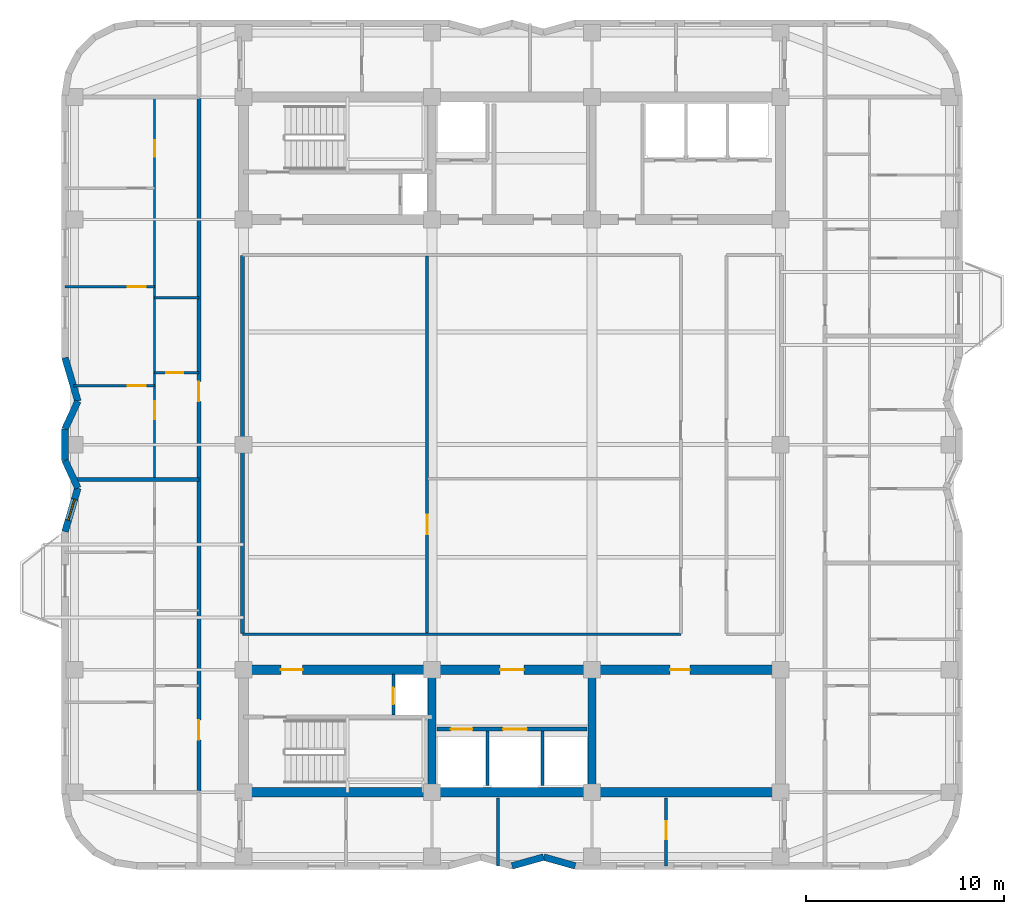
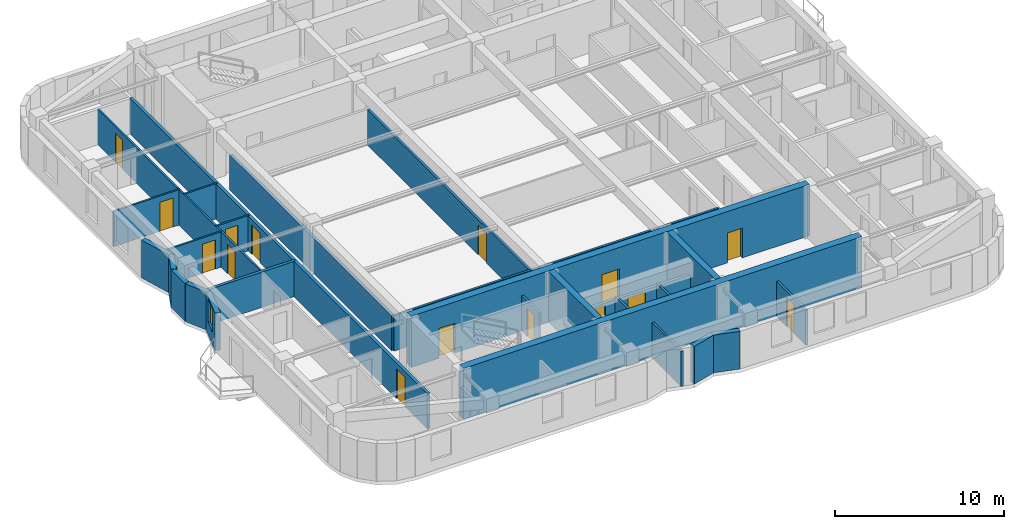
# One storey, part 3 of 9: 27 walls, 15 doors, 1 window, 16 openings.
"""IFC4 building model written with IfcOpenShell, lengths in metres."""

from ifc_helpers import new_model, si_unit, direction, frame, frame_2d, origin, place, context, subcontext, project, spatial, rectangle, extrude, material, layer, layer_set, type_object, element, fill, save


model = new_model("IFC4")

# Units and contexts
model_context = context("Model", 3, precision=1e-05, world=origin(), true_north=direction((0.0, 1.0)))
body_context = subcontext(model_context, "Body", "Model", "MODEL_VIEW")
ifc_project = project(units=[si_unit("LENGTHUNIT", "METRE"), si_unit("AREAUNIT", "SQUARE_METRE"), si_unit("VOLUMEUNIT", "CUBIC_METRE"), si_unit("PLANEANGLEUNIT", "RADIAN"), si_unit("MASSUNIT", "GRAM", prefix="KILO")], contexts=[model_context])

# Site, building, storey
site_placement = place(None, origin())
site = spatial("IfcSite", under=ifc_project, at=site_placement, CompositionType="ELEMENT")
building_placement = place(site_placement, origin())
building = spatial("IfcBuilding", under=site, at=building_placement, Name="Svetorya Sky Lyceum", CompositionType="ELEMENT")
storey_placement = place(building_placement, frame((0.0, 0.0, 211.0)))
storey = spatial("IfcBuildingStorey", under=building, at=storey_placement, Name="L52", CompositionType="ELEMENT", Elevation=211.0)

# Walls
ifc_material_1 = material(Name="Concrete C40/50", Category="concrete")
ifc_layer_1 = layer(ifc_material_1, 0.39990234375)
ifc_layer_set_1 = layer_set([ifc_layer_1], Name="Concrete C40/50")
wall_type_1 = type_object("IfcWallType", Name="WL-CORE-400", PredefinedType="SHEAR", material=ifc_layer_set_1)
for number, where, z_axis, x_axis, name in (
    (1, (35.14990234375, 10.85009765625, 0.0), (0.0, 0.0, 1.0), (0.0, 1.0, 0.0), "L52 SC Internal Shear Web WEB1"),
    (2, (43.25, 10.85009765625, 0.0), (0.0, 0.0, 1.0), (0.0, 1.0, 0.0), "L52 SC Internal Shear Web WEB2"),
):
    element("IfcWall", number, at=place(storey_placement, frame(where, z_axis=z_axis, x_axis=x_axis)), inside=storey, type_object=wall_type_1, Name=name, PredefinedType="SHEAR", context=body_context, shape_type="SweptSolid", body=[
        extrude(rectangle(XDim=5.699951171875, YDim=0.39990234375, at=frame_2d((2.85009765625, 0.0))), origin(), (0.0, 0.0, 1.0), 3.699951171875),
    ])
ifc_material_2 = material(Name="Concrete C50/60", Category="concrete")
ifc_layer_2 = layer(ifc_material_2, 0.5)
ifc_layer_set_2 = layer_set([ifc_layer_2], Name="Concrete C50/60")
wall_type_2 = type_object("IfcWallType", Name="WL-CORE-500", PredefinedType="SHEAR", material=ifc_layer_set_2)
wall_1_placement = place(storey_placement, frame((52.800048828125, 10.60009765625, 0.0), z_axis=(0.0, 0.0, 1.0), x_axis=(-1.0, 0.0, 0.0)))
element("IfcWall", 3, at=wall_1_placement, inside=storey, type_object=wall_type_2, Name="L52 SC Outer Core Shear Wall", PredefinedType="SHEAR", context=body_context, shape_type="SweptSolid", body=[
    extrude(rectangle(XDim=27.199951171875, YDim=0.5, at=frame_2d((13.60009765625, 0.0))), origin(), (0.0, 0.0, 1.0), 3.699951171875),
])

# Wall, openings, doors
wall_2_placement = place(storey_placement, frame((25.60009765625, 16.800048828125, 0.0), z_axis=(0.0, 0.0, 1.0), x_axis=(1.0, 0.0, 0.0)))
wall_2 = element("IfcWall", 4, at=wall_2_placement, inside=storey, type_object=wall_type_2, Name="L52 SC Inner Core Shear Wall", PredefinedType="SHEAR", context=body_context, shape_type="SweptSolid", body=[
    extrude(rectangle(XDim=27.199951171875, YDim=0.5, at=frame_2d((13.60009765625, 0.0))), origin(), (0.0, 0.0, 1.0), 3.699951171875),
])
opening_1_placement = place(wall_2_placement, frame((1.89990234375, 0.0, 0.0)))
opening_1 = element("IfcOpeningElement", 5, at=opening_1_placement, cuts=wall_2, Name="Opening D-ST1", PredefinedType="OPENING", context=body_context, shape_type="SweptSolid", body=[
    extrude(rectangle(XDim=1.10009765625, YDim=2.14990234375, at=frame_2d((0.550048828125, 1.074951171875))), frame((0.0, 0.260009765625, 0.0), z_axis=(0.0, -1.0, 0.0), x_axis=(1.0, 0.0, 0.0)), (0.0, 0.0, 1.0), 0.52001953125),
])
opening_2_placement = place(wall_2_placement, frame((13.0, 0.0, 0.0)))
opening_2 = element("IfcOpeningElement", 6, at=opening_2_placement, cuts=wall_2, Name="Opening D-FL1", PredefinedType="OPENING", context=body_context, shape_type="SweptSolid", body=[
    extrude(rectangle(XDim=1.199951171875, YDim=2.14990234375, at=frame_2d((0.60009765625, 1.074951171875))), frame((0.0, 0.260009765625, 0.0), z_axis=(0.0, -1.0, 0.0), x_axis=(1.0, 0.0, 0.0)), (0.0, 0.0, 1.0), 0.52001953125),
])
opening_3_placement = place(wall_2_placement, frame((21.60009765625, 0.0, 0.0)))
opening_3 = element("IfcOpeningElement", 7, at=opening_3_placement, cuts=wall_2, Name="Opening D-RM2", PredefinedType="OPENING", context=body_context, shape_type="SweptSolid", body=[
    extrude(rectangle(XDim=1.0, YDim=2.14990234375, at=frame_2d((0.5, 1.074951171875))), frame((0.0, 0.260009765625, 0.0), z_axis=(0.0, -1.0, 0.0), x_axis=(1.0, 0.0, 0.0)), (0.0, 0.0, 1.0), 0.52001953125),
])
ifc_material_3 = material(Name="Powder-coated insulated galvanized stair fire door")
door_type_1 = type_object("IfcDoorType", Name="DR-FIRE-1100", OperationType="SINGLE_SWING_LEFT", PredefinedType="DOOR", material=ifc_material_3)
door_1_placement = place(opening_1_placement, origin())
door_1 = element("IfcDoor", 8, at=door_1_placement, inside=storey, type_object=door_type_1, Name="L52 South Stair Airlock Door", OperationType="SINGLE_SWING_RIGHT", OverallHeight=2.14990234375, OverallWidth=1.10009765625, PredefinedType="DOOR", context=body_context, shape_type="SweptSolid", body=[
    extrude(rectangle(XDim=1.10009765625, YDim=2.14990234375, at=frame_2d((0.550048828125, 1.074951171875))), frame((0.0, 0.02490234375, 0.0), z_axis=(0.0, -1.0, 0.0), x_axis=(1.0, 0.0, 0.0)), (0.0, 0.0, 1.0), 0.050048828125),
])
fill(opening_1, door_1)
ifc_material_4 = material(Name="Powder-coated insulated galvanized fire door")
door_type_2 = type_object("IfcDoorType", Name="DR-FIRE-1200", OperationType="SINGLE_SWING_LEFT", PredefinedType="DOOR", material=ifc_material_4)
door_2_placement = place(opening_2_placement, origin())
door_2 = element("IfcDoor", 9, at=door_2_placement, inside=storey, type_object=door_type_2, Name="L52 South Firefighting Lift Lobby Door", OperationType="SINGLE_SWING_LEFT", OverallHeight=2.14990234375, OverallWidth=1.199951171875, PredefinedType="DOOR", context=body_context, shape_type="SweptSolid", body=[
    extrude(rectangle(XDim=1.199951171875, YDim=2.14990234375, at=frame_2d((0.60009765625, 1.074951171875))), frame((0.0, 0.02490234375, 0.0), z_axis=(0.0, -1.0, 0.0), x_axis=(1.0, 0.0, 0.0)), (0.0, 0.0, 1.0), 0.050048828125),
])
fill(opening_2, door_2)
ifc_material_5 = material(Name="Solid-core oak acoustic room door")
door_type_3 = type_object("IfcDoorType", Name="DR-INT-1000", OperationType="SINGLE_SWING_LEFT", PredefinedType="DOOR", material=ifc_material_5)
door_3_placement = place(opening_3_placement, origin())
door_3 = element("IfcDoor", 10, at=door_3_placement, inside=storey, type_object=door_type_3, Name="L52 Trunk Store Door", OperationType="SINGLE_SWING_LEFT", OverallHeight=2.14990234375, OverallWidth=1.0, PredefinedType="DOOR", context=body_context, shape_type="SweptSolid", body=[
    extrude(rectangle(XDim=1.0, YDim=2.14990234375, at=frame_2d((0.5, 1.074951171875))), frame((0.0, 0.02490234375, 0.0), z_axis=(0.0, -1.0, 0.0), x_axis=(1.0, 0.0, 0.0)), (0.0, 0.0, 1.0), 0.050048828125),
])
fill(opening_3, door_3)

# Walls
ifc_material_6 = material(Name="Putilovo limestone rainscreen on autoclaved cellular masonry", Category="masonry")
ifc_layer_3 = layer(ifc_material_6, 0.340087890625)
ifc_layer_set_3 = layer_set([ifc_layer_3], Name="Putilovo limestone rainscreen on autoclaved cellular masonry")
wall_type_3 = type_object("IfcWallType", Name="WL-EXT-340", PredefinedType="SOLIDWALL", material=ifc_layer_set_3)
wall_3_placement = place(storey_placement, frame((39.199951171875, 6.8701171875, 0.0), z_axis=(0.0, 0.0, 1.0), x_axis=(0.962662902433, 0.270703040766, 0.0)))
element("IfcWall", 11, at=wall_3_placement, inside=storey, type_object=wall_type_3, Name="L52 Limestone Exterior Wall 9M", PredefinedType="SOLIDWALL", context=body_context, shape_type="SweptSolid", body=[
    extrude(rectangle(XDim=1.662109375, YDim=0.340087890625, at=frame_2d((0.8310546875, 0.0))), origin(), (0.0, 0.0, 1.0), 2.719970703125),
])
wall_4_placement = place(storey_placement, frame((40.800048828125, 7.320068359375, 0.0), z_axis=(0.0, 0.0, 1.0), x_axis=(0.962652136636, -0.270741322725, 0.0)))
element("IfcWall", 12, at=wall_4_placement, inside=storey, type_object=wall_type_3, Name="L52 Limestone Exterior Wall 10M", PredefinedType="SOLIDWALL", context=body_context, shape_type="SweptSolid", body=[
    extrude(rectangle(XDim=1.661865234375, YDim=0.340087890625, at=frame_2d((0.8310546875, 0.0))), origin(), (0.0, 0.0, 1.0), 2.719970703125),
])
wall_5_placement = place(storey_placement, frame((16.570068359375, 32.60009765625, 0.0), z_axis=(0.0, 0.0, 1.0), x_axis=(0.28328385701, -0.959036107953, 0.0)))
element("IfcWall", 13, at=wall_5_placement, inside=storey, type_object=wall_type_3, Name="L52 Limestone Exterior Wall 41M", PredefinedType="SOLIDWALL", context=body_context, shape_type="SweptSolid", body=[
    extrude(rectangle(XDim=2.294189453125, YDim=0.340087890625, at=frame_2d((1.14697265625, 0.0))), origin(), (0.0, 0.0, 1.0), 2.719970703125),
])
wall_6_placement = place(storey_placement, frame((17.219970703125, 30.39990234375, 0.0), z_axis=(0.0, 0.0, 1.0), x_axis=(-0.421083420882, -0.907021914101, 0.0)))
element("IfcWall", 14, at=wall_6_placement, inside=storey, type_object=wall_type_3, Name="L52 Limestone Exterior Wall 42M", PredefinedType="SOLIDWALL", context=body_context, shape_type="SweptSolid", body=[
    extrude(rectangle(XDim=1.54345703125, YDim=0.340087890625, at=frame_2d((0.771728515625, 0.0))), origin(), (0.0, 0.0, 1.0), 2.719970703125),
])
wall_7_placement = place(storey_placement, frame((16.570068359375, 29.0, 0.0), z_axis=(0.0, 0.0, 1.0), x_axis=(0.0, -1.0, 0.0)))
element("IfcWall", 15, at=wall_7_placement, inside=storey, type_object=wall_type_3, Name="L52 Limestone Exterior Wall 43M", PredefinedType="SOLIDWALL", context=body_context, shape_type="SweptSolid", body=[
    extrude(rectangle(XDim=1.60009765625, YDim=0.340087890625, at=frame_2d((0.800048828125, 0.0))), origin(), (0.0, 0.0, 1.0), 2.719970703125),
])
wall_8_placement = place(storey_placement, frame((16.570068359375, 27.39990234375, 0.0), z_axis=(0.0, 0.0, 1.0), x_axis=(0.421083420882, -0.907021914101, 0.0)))
element("IfcWall", 16, at=wall_8_placement, inside=storey, type_object=wall_type_3, Name="L52 Limestone Exterior Wall 44M", PredefinedType="SOLIDWALL", context=body_context, shape_type="SweptSolid", body=[
    extrude(rectangle(XDim=1.54345703125, YDim=0.340087890625, at=frame_2d((0.771728515625, 0.0))), origin(), (0.0, 0.0, 1.0), 2.719970703125),
])

# Wall, opening, window
wall_9_placement = place(storey_placement, frame((17.219970703125, 26.0, 0.0), z_axis=(0.0, 0.0, 1.0), x_axis=(-0.283312771328, -0.959027566654, 0.0)))
wall_9 = element("IfcWall", 17, at=wall_9_placement, inside=storey, type_object=wall_type_3, Name="L52 Limestone Exterior Wall 45M", PredefinedType="SOLIDWALL", context=body_context, shape_type="SweptSolid", body=[
    extrude(rectangle(XDim=2.2939453125, YDim=0.340087890625, at=frame_2d((1.14697265625, 0.0))), origin(), (0.0, 0.0, 1.0), 2.719970703125),
])
opening_4_placement = place(wall_9_placement, frame((0.596923828125, 0.0, 0.909912109375)))
opening_4 = element("IfcOpeningElement", 18, at=opening_4_placement, cuts=wall_9, Name="Opening W-R3", PredefinedType="OPENING", context=body_context, shape_type="SweptSolid", body=[
    extrude(rectangle(XDim=1.10009765625, YDim=1.64990234375, at=frame_2d((0.550048828125, 0.824951171875))), frame((0.0, 0.179931640625, 0.0), z_axis=(0.0, -1.0, 0.0), x_axis=(1.0, 0.0, 0.0)), (0.0, 0.0, 1.0), 0.360107421875),
])
ifc_material_7 = material(Name="Thermally broken aluminium frame with triple low-E glazing", Category="aluminium")
window_type = type_object("IfcWindowType", Name="WN-RES-110", PartitioningType="SINGLE_PANEL", PredefinedType="WINDOW", material=ifc_material_7)
window_placement = place(opening_4_placement, origin())
window = element("IfcWindow", 19, at=window_placement, inside=storey, type_object=window_type, Name="L52 Facade Window W-R3.45M.1", OverallHeight=1.64990234375, OverallWidth=1.10009765625, PartitioningType="SINGLE_PANEL", PredefinedType="WINDOW", context=body_context, shape_type="SweptSolid", body=[
    extrude(rectangle(XDim=1.10009765625, YDim=1.64990234375, at=frame_2d((0.550048828125, 0.824951171875))), frame((0.0, 0.030029296875, 0.0), z_axis=(0.0, -1.0, 0.0), x_axis=(1.0, 0.0, 0.0)), (0.0, 0.0, 1.0), 0.06005859375),
])
fill(opening_4, window)

# Wall, opening, door
ifc_material_8 = material(Name="Twin-stud galvanized framing with double fireboard", Category="gypsum")
ifc_layer_4 = layer(ifc_material_8, 0.1201171875)
ifc_layer_set_4 = layer_set([ifc_layer_4], Name="Twin-stud galvanized framing with double fireboard")
wall_type_4 = type_object("IfcWallType", Name="WL-PART-120", PredefinedType="PARTITIONING", material=ifc_layer_set_4)
wall_10_placement = place(storey_placement, frame((21.10009765625, 31.840087890625, 0.0), z_axis=(0.0, 0.0, 1.0), x_axis=(1.0, 0.0, 0.0)))
wall_10 = element("IfcWall", 20, at=wall_10_placement, inside=storey, type_object=wall_type_4, Name="L52 Interior Partition W2-WH1", PredefinedType="PARTITIONING", context=body_context, shape_type="SweptSolid", body=[
    extrude(rectangle(XDim=2.25, YDim=0.1201171875, at=frame_2d((1.125, 0.0))), origin(), (0.0, 0.0, 1.0), 2.550048828125),
])
opening_5_placement = place(wall_10_placement, frame((0.60009765625, 0.0, 0.0)))
opening_5 = element("IfcOpeningElement", 21, at=opening_5_placement, cuts=wall_10, Name="Opening D-BT1", PredefinedType="OPENING", context=body_context, shape_type="SweptSolid", body=[
    extrude(rectangle(XDim=0.85009765625, YDim=2.10009765625, at=frame_2d((0.425048828125, 1.050048828125))), frame((0.0, 0.070068359375, 0.0), z_axis=(0.0, -1.0, 0.0), x_axis=(1.0, 0.0, 0.0)), (0.0, 0.0, 1.0), 0.14013671875),
])
ifc_material_9 = material(Name="Moisture-resistant laminate bathroom door")
door_type_4 = type_object("IfcDoorType", Name="DR-WET-850", OperationType="SINGLE_SWING_LEFT", PredefinedType="DOOR", material=ifc_material_9)
door_4_placement = place(opening_5_placement, origin())
door_4 = element("IfcDoor", 22, at=door_4_placement, inside=storey, type_object=door_type_4, Name="Apartment W2 Bathroom Door", OperationType="SINGLE_SWING_RIGHT", OverallHeight=2.10009765625, OverallWidth=0.85009765625, PredefinedType="DOOR", context=body_context, shape_type="SweptSolid", body=[
    extrude(rectangle(XDim=0.85009765625, YDim=2.10009765625, at=frame_2d((0.425048828125, 1.050048828125))), frame((0.0, 0.02490234375, 0.0), z_axis=(0.0, -1.0, 0.0), x_axis=(1.0, 0.0, 0.0)), (0.0, 0.0, 1.0), 0.050048828125),
])
fill(opening_5, door_4)

# Wall
wall_11_placement = place(storey_placement, frame((21.10009765625, 35.639892578125, 0.0), z_axis=(0.0, 0.0, 1.0), x_axis=(1.0, 0.0, 0.0)))
element("IfcWall", 23, at=wall_11_placement, inside=storey, type_object=wall_type_4, Name="L52 Interior Partition W2-WH2", PredefinedType="PARTITIONING", context=body_context, shape_type="SweptSolid", body=[
    extrude(rectangle(XDim=2.25, YDim=0.1201171875, at=frame_2d((1.125, 0.0))), origin(), (0.0, 0.0, 1.0), 2.550048828125),
])

# Wall, opening, door
wall_12_placement = place(storey_placement, frame((16.986572265625, 31.18994140625, 0.0), z_axis=(0.0, 0.0, 1.0), x_axis=(1.0, 0.0, 0.0)))
wall_12 = element("IfcWall", 24, at=wall_12_placement, inside=storey, type_object=wall_type_4, Name="L52 Interior Partition W2-WL1", PredefinedType="PARTITIONING", context=body_context, shape_type="SweptSolid", body=[
    extrude(rectangle(XDim=4.113525390625, YDim=0.1201171875, at=frame_2d((2.056640625, 0.0))), origin(), (0.0, 0.0, 1.0), 2.550048828125),
])
opening_6_placement = place(wall_12_placement, frame((2.763427734375, 0.0, 0.0)))
opening_6 = element("IfcOpeningElement", 25, at=opening_6_placement, cuts=wall_12, Name="Opening D-RM1", PredefinedType="OPENING", context=body_context, shape_type="SweptSolid", body=[
    extrude(rectangle(XDim=0.89990234375, YDim=2.10009765625, at=frame_2d((0.449951171875, 1.050048828125))), frame((0.0, 0.070068359375, 0.0), z_axis=(0.0, -1.0, 0.0), x_axis=(1.0, 0.0, 0.0)), (0.0, 0.0, 1.0), 0.14013671875),
])
ifc_material_10 = material(Name="Lacquered birch veneer internal door")
door_type_5 = type_object("IfcDoorType", Name="DR-INT-900", OperationType="SINGLE_SWING_LEFT", PredefinedType="DOOR", material=ifc_material_10)
door_5_placement = place(opening_6_placement, origin())
door_5 = element("IfcDoor", 26, at=door_5_placement, inside=storey, type_object=door_type_5, Name="Apartment W2 Master Bedroom Door", OperationType="SINGLE_SWING_RIGHT", OverallHeight=2.10009765625, OverallWidth=0.89990234375, PredefinedType="DOOR", context=body_context, shape_type="SweptSolid", body=[
    extrude(rectangle(XDim=0.89990234375, YDim=2.10009765625, at=frame_2d((0.449951171875, 1.050048828125))), frame((0.0, 0.02490234375, 0.0), z_axis=(0.0, -1.0, 0.0), x_axis=(1.0, 0.0, 0.0)), (0.0, 0.0, 1.0), 0.050048828125),
])
fill(opening_6, door_5)

wall_13_placement = place(storey_placement, frame((16.570068359375, 36.18994140625, 0.0), z_axis=(0.0, 0.0, 1.0), x_axis=(1.0, 0.0, 0.0)))
wall_13 = element("IfcWall", 27, at=wall_13_placement, inside=storey, type_object=wall_type_4, Name="L52 Interior Partition W2-WL2", PredefinedType="PARTITIONING", context=body_context, shape_type="SweptSolid", body=[
    extrude(rectangle(XDim=4.530029296875, YDim=0.1201171875, at=frame_2d((2.26513671875, 0.0))), origin(), (0.0, 0.0, 1.0), 2.550048828125),
])
opening_7_placement = place(wall_13_placement, frame((3.179931640625, 0.0, 0.0)))
opening_7 = element("IfcOpeningElement", 28, at=opening_7_placement, cuts=wall_13, Name="Opening D-RM1", PredefinedType="OPENING", context=body_context, shape_type="SweptSolid", body=[
    extrude(rectangle(XDim=0.89990234375, YDim=2.10009765625, at=frame_2d((0.449951171875, 1.050048828125))), frame((0.0, 0.070068359375, 0.0), z_axis=(0.0, -1.0, 0.0), x_axis=(1.0, 0.0, 0.0)), (0.0, 0.0, 1.0), 0.14013671875),
])
door_6_placement = place(opening_7_placement, origin())
door_6 = element("IfcDoor", 29, at=door_6_placement, inside=storey, type_object=door_type_5, Name="Apartment W2 Bedroom 2 Door", OperationType="SINGLE_SWING_LEFT", OverallHeight=2.10009765625, OverallWidth=0.89990234375, PredefinedType="DOOR", context=body_context, shape_type="SweptSolid", body=[
    extrude(rectangle(XDim=0.89990234375, YDim=2.10009765625, at=frame_2d((0.449951171875, 1.050048828125))), frame((0.0, 0.02490234375, 0.0), z_axis=(0.0, -1.0, 0.0), x_axis=(1.0, 0.0, 0.0)), (0.0, 0.0, 1.0), 0.050048828125),
])
fill(opening_7, door_6)

# Wall, openings, doors
wall_14_placement = place(storey_placement, frame((21.10009765625, 26.47998046875, 0.0), z_axis=(0.0, 0.0, 1.0), x_axis=(0.0, 1.0, 0.0)))
wall_14 = element("IfcWall", 30, at=wall_14_placement, inside=storey, type_object=wall_type_4, Name="L52 Interior Partition W2-WV", PredefinedType="PARTITIONING", context=body_context, shape_type="SweptSolid", body=[
    extrude(rectangle(XDim=19.280029296875, YDim=0.1201171875, at=frame_2d((9.64013671875, 0.0))), origin(), (0.0, 0.0, 1.0), 2.550048828125),
])
opening_8_placement = place(wall_14_placement, frame((3.010009765625, 0.0, 0.0)))
opening_8 = element("IfcOpeningElement", 31, at=opening_8_placement, cuts=wall_14, Name="Opening D-RM1", PredefinedType="OPENING", context=body_context, shape_type="SweptSolid", body=[
    extrude(rectangle(XDim=0.89990234375, YDim=2.10009765625, at=frame_2d((0.449951171875, 1.050048828125))), frame((0.0, 0.070068359375, 0.0), z_axis=(0.0, -1.0, 0.0), x_axis=(1.0, 0.0, 0.0)), (0.0, 0.0, 1.0), 0.14013671875),
])
opening_9_placement = place(wall_14_placement, frame((16.30810546875, 0.0, 0.0)))
opening_9 = element("IfcOpeningElement", 32, at=opening_9_placement, cuts=wall_14, Name="Opening D-BT2", PredefinedType="OPENING", context=body_context, shape_type="SweptSolid", body=[
    extrude(rectangle(XDim=0.820068359375, YDim=2.080078125, at=frame_2d((0.41015625, 1.0400390625))), frame((0.0, 0.070068359375, 0.0), z_axis=(0.0, -1.0, 0.0), x_axis=(1.0, 0.0, 0.0)), (0.0, 0.0, 1.0), 0.14013671875),
])
door_7_placement = place(opening_8_placement, origin())
door_7 = element("IfcDoor", 33, at=door_7_placement, inside=storey, type_object=door_type_5, Name="Apartment W2 Living Door", OperationType="SINGLE_SWING_LEFT", OverallHeight=2.10009765625, OverallWidth=0.89990234375, PredefinedType="DOOR", context=body_context, shape_type="SweptSolid", body=[
    extrude(rectangle(XDim=0.89990234375, YDim=2.10009765625, at=frame_2d((0.449951171875, 1.050048828125))), frame((0.0, 0.02490234375, 0.0), z_axis=(0.0, -1.0, 0.0), x_axis=(1.0, 0.0, 0.0)), (0.0, 0.0, 1.0), 0.050048828125),
])
fill(opening_8, door_7)
ifc_material_11 = material(Name="Compact moisture-resistant laminate closet door")
door_type_6 = type_object("IfcDoorType", Name="DR-WET-820", OperationType="SINGLE_SWING_LEFT", PredefinedType="DOOR", material=ifc_material_11)
door_8_placement = place(opening_9_placement, origin())
door_8 = element("IfcDoor", 34, at=door_8_placement, inside=storey, type_object=door_type_6, Name="Apartment W2 Study Door", OperationType="SINGLE_SWING_RIGHT", OverallHeight=2.080078125, OverallWidth=0.820068359375, PredefinedType="DOOR", context=body_context, shape_type="SweptSolid", body=[
    extrude(rectangle(XDim=0.820068359375, YDim=2.080078125, at=frame_2d((0.41015625, 1.0400390625))), frame((0.0, 0.02490234375, 0.0), z_axis=(0.0, -1.0, 0.0), x_axis=(1.0, 0.0, 0.0)), (0.0, 0.0, 1.0), 0.050048828125),
])
fill(opening_9, door_8)

# Wall, opening, door
ifc_material_12 = material(Name="Autoclaved cellular masonry blockwork with acoustic render", Category="masonry")
ifc_layer_5 = layer(ifc_material_12, 0.14990234375)
ifc_layer_set_5 = layer_set([ifc_layer_5], Name="Autoclaved cellular masonry blockwork with acoustic render")
wall_type_5 = type_object("IfcWallType", Name="WL-PART-150", PredefinedType="PARTITIONING", material=ifc_layer_set_5)
wall_15_placement = place(storey_placement, frame((33.199951171875, 14.5, 0.0), z_axis=(0.0, 0.0, 1.0), x_axis=(0.0, 1.0, 0.0)))
wall_15 = element("IfcWall", 35, at=wall_15_placement, inside=storey, type_object=wall_type_5, Name="L52 Interior Partition SC-AIRDIV", PredefinedType="PARTITIONING", context=body_context, shape_type="SweptSolid", body=[
    extrude(rectangle(XDim=2.080078125, YDim=0.14990234375, at=frame_2d((1.0400390625, 0.0))), origin(), (0.0, 0.0, 1.0), 2.550048828125),
])
opening_10_placement = place(wall_15_placement, frame((0.550048828125, 0.0, 0.0)))
opening_10 = element("IfcOpeningElement", 36, at=opening_10_placement, cuts=wall_15, Name="Opening D-SH1", PredefinedType="OPENING", context=body_context, shape_type="SweptSolid", body=[
    extrude(rectangle(XDim=0.85009765625, YDim=2.050048828125, at=frame_2d((0.425048828125, 1.02490234375))), frame((0.0, 0.0849609375, 0.0), z_axis=(0.0, -1.0, 0.0), x_axis=(1.0, 0.0, 0.0)), (0.0, 0.0, 1.0), 0.169921875),
])
ifc_material_13 = material(Name="Insulated galvanized riser inspection fire door")
door_type_7 = type_object("IfcDoorType", Name="DR-SHFT-850", OperationType="SINGLE_SWING_LEFT", PredefinedType="TRAPDOOR", material=ifc_material_13)
door_9_placement = place(opening_10_placement, origin())
door_9 = element("IfcDoor", 37, at=door_9_placement, inside=storey, type_object=door_type_7, Name="L52 South Riser Access Door", OperationType="SINGLE_SWING_RIGHT", OverallHeight=2.050048828125, OverallWidth=0.85009765625, PredefinedType="TRAPDOOR", context=body_context, shape_type="SweptSolid", body=[
    extrude(rectangle(XDim=0.85009765625, YDim=2.050048828125, at=frame_2d((0.425048828125, 1.02490234375))), frame((0.0, 0.02490234375, 0.0), z_axis=(0.0, -1.0, 0.0), x_axis=(1.0, 0.0, 0.0)), (0.0, 0.0, 1.0), 0.050048828125),
])
fill(opening_10, door_9)

# Walls
for number, where, z_axis, x_axis, name in (
    (38, (37.949951171875, 10.949951171875, 0.0), (0.0, 0.0, 1.0), (0.0, 1.0, 0.0), "L52 Interior Partition SC-SHD1"),
    (39, (40.75, 10.949951171875, 0.0), (0.0, 0.0, 1.0), (0.0, 1.0, 0.0), "L52 Interior Partition SC-SHD2"),
):
    element("IfcWall", number, at=place(storey_placement, frame(where, z_axis=z_axis, x_axis=x_axis)), inside=storey, type_object=wall_type_5, Name=name, PredefinedType="PARTITIONING", context=body_context, shape_type="SweptSolid", body=[
        extrude(rectangle(XDim=2.75, YDim=0.14990234375, at=frame_2d((1.375, 0.0))), origin(), (0.0, 0.0, 1.0), 2.550048828125),
    ])
wall_16_placement = place(storey_placement, frame((25.550048828125, 18.60009765625, 0.0), z_axis=(0.0, 0.0, 1.0), x_axis=(1.0, 0.0, 0.0)))
element("IfcWall", 40, at=wall_16_placement, inside=storey, type_object=wall_type_5, Name="L52 Interior Partition OFF-CS-W", PredefinedType="PARTITIONING", context=body_context, shape_type="SweptSolid", body=[
    extrude(rectangle(XDim=22.199951171875, YDim=0.14990234375, at=frame_2d((11.10009765625, 0.0))), origin(), (0.0, 0.0, 1.0), 2.550048828125),
])

# Wall, opening, door
wall_17_placement = place(storey_placement, frame((34.89990234375, 18.659912109375, 0.0), z_axis=(0.0, 0.0, 1.0), x_axis=(0.0, 1.0, 0.0)))
wall_17 = element("IfcWall", 41, at=wall_17_placement, inside=storey, type_object=wall_type_5, Name="L52 Interior Partition OFF-WVM", PredefinedType="PARTITIONING", context=body_context, shape_type="SweptSolid", body=[
    extrude(rectangle(XDim=19.080078125, YDim=0.14990234375, at=frame_2d((9.5400390625, 0.0))), origin(), (0.0, 0.0, 1.0), 2.550048828125),
])
opening_11_placement = place(wall_17_placement, frame((5.0, 0.0, 0.0)))
opening_11 = element("IfcOpeningElement", 42, at=opening_11_placement, cuts=wall_17, Name="Opening D-RM2", PredefinedType="OPENING", context=body_context, shape_type="SweptSolid", body=[
    extrude(rectangle(XDim=1.0, YDim=2.14990234375, at=frame_2d((0.5, 1.074951171875))), frame((0.0, 0.0849609375, 0.0), z_axis=(0.0, -1.0, 0.0), x_axis=(1.0, 0.0, 0.0)), (0.0, 0.0, 1.0), 0.169921875),
])
door_10_placement = place(opening_11_placement, origin())
door_10 = element("IfcDoor", 43, at=door_10_placement, inside=storey, type_object=door_type_3, Name="L52 West Seminar Door", OperationType="SINGLE_SWING_LEFT", OverallHeight=2.14990234375, OverallWidth=1.0, PredefinedType="DOOR", context=body_context, shape_type="SweptSolid", body=[
    extrude(rectangle(XDim=1.0, YDim=2.14990234375, at=frame_2d((0.5, 1.074951171875))), frame((0.0, 0.02490234375, 0.0), z_axis=(0.0, -1.0, 0.0), x_axis=(1.0, 0.0, 0.0)), (0.0, 0.0, 1.0), 0.050048828125),
])
fill(opening_11, door_10)

# Wall
wall_18_placement = place(storey_placement, frame((38.5, 6.8701171875, 0.0), z_axis=(0.0, 0.0, 1.0), x_axis=(0.0, 1.0, 0.0)))
element("IfcWall", 44, at=wall_18_placement, inside=storey, type_object=wall_type_5, Name="L52 Interior Partition S4-D2", PredefinedType="PARTITIONING", context=body_context, shape_type="SweptSolid", body=[
    extrude(rectangle(XDim=3.429931640625, YDim=0.14990234375, at=frame_2d((1.71484375, 0.0))), origin(), (0.0, 0.0, 1.0), 2.550048828125),
])

# Wall, opening, door
wall_19_placement = place(storey_placement, frame((47.0, 6.8701171875, 0.0), z_axis=(0.0, 0.0, 1.0), x_axis=(0.0, 1.0, 0.0)))
wall_19 = element("IfcWall", 45, at=wall_19_placement, inside=storey, type_object=wall_type_5, Name="L52 Interior Partition S4-D3", PredefinedType="PARTITIONING", context=body_context, shape_type="SweptSolid", body=[
    extrude(rectangle(XDim=3.429931640625, YDim=0.14990234375, at=frame_2d((1.71484375, 0.0))), origin(), (0.0, 0.0, 1.0), 2.550048828125),
])
opening_12_placement = place(wall_19_placement, frame((1.35009765625, 0.0, 0.0)))
opening_12 = element("IfcOpeningElement", 46, at=opening_12_placement, cuts=wall_19, Name="Opening D-RM1", PredefinedType="OPENING", context=body_context, shape_type="SweptSolid", body=[
    extrude(rectangle(XDim=0.89990234375, YDim=2.10009765625, at=frame_2d((0.449951171875, 1.050048828125))), frame((0.0, 0.0849609375, 0.0), z_axis=(0.0, -1.0, 0.0), x_axis=(1.0, 0.0, 0.0)), (0.0, 0.0, 1.0), 0.169921875),
])
door_11_placement = place(opening_12_placement, origin())
door_11 = element("IfcDoor", 47, at=door_11_placement, inside=storey, type_object=door_type_5, Name="L52 South Suite Door 3", OperationType="SINGLE_SWING_LEFT", OverallHeight=2.10009765625, OverallWidth=0.89990234375, PredefinedType="DOOR", context=body_context, shape_type="SweptSolid", body=[
    extrude(rectangle(XDim=0.89990234375, YDim=2.10009765625, at=frame_2d((0.449951171875, 1.050048828125))), frame((0.0, 0.02490234375, 0.0), z_axis=(0.0, -1.0, 0.0), x_axis=(1.0, 0.0, 0.0)), (0.0, 0.0, 1.0), 0.050048828125),
])
fill(opening_12, door_11)

# Wall, openings, doors
ifc_material_14 = material(Name="Autoclaved cellular masonry blockwork with gypsum plaster", Category="masonry")
ifc_layer_6 = layer(ifc_material_14, 0.199951171875)
ifc_layer_set_6 = layer_set([ifc_layer_6], Name="Autoclaved cellular masonry blockwork with gypsum plaster")
wall_type_6 = type_object("IfcWallType", Name="WL-PART-200", PredefinedType="PARTITIONING", material=ifc_layer_set_6)
wall_20_placement = place(storey_placement, frame((35.39990234375, 13.800048828125, 0.0), z_axis=(0.0, 0.0, 1.0), x_axis=(1.0, 0.0, 0.0)))
wall_20 = element("IfcWall", 48, at=wall_20_placement, inside=storey, type_object=wall_type_6, Name="L52 Interior Partition SC-FLW", PredefinedType="PARTITIONING", context=body_context, shape_type="SweptSolid", body=[
    extrude(rectangle(XDim=7.60009765625, YDim=0.199951171875, at=frame_2d((3.800048828125, 0.0))), origin(), (0.0, 0.0, 1.0), 2.320068359375),
])
opening_13_placement = place(wall_20_placement, frame((0.699951171875, 0.0, 0.0)))
opening_13 = element("IfcOpeningElement", 49, at=opening_13_placement, cuts=wall_20, Name="Opening LD-FL", PredefinedType="OPENING", context=body_context, shape_type="SweptSolid", body=[
    extrude(rectangle(XDim=1.10009765625, YDim=2.14990234375, at=frame_2d((0.550048828125, 1.074951171875))), frame((0.0, 0.10986328125, 0.0), z_axis=(0.0, -1.0, 0.0), x_axis=(1.0, 0.0, 0.0)), (0.0, 0.0, 1.0), 0.219970703125),
])
opening_14_placement = place(wall_20_placement, frame((3.35009765625, 0.0, 0.0)))
opening_14 = element("IfcOpeningElement", 50, at=opening_14_placement, cuts=wall_20, Name="Opening LD-SV", PredefinedType="OPENING", context=body_context, shape_type="SweptSolid", body=[
    extrude(rectangle(XDim=1.199951171875, YDim=2.14990234375, at=frame_2d((0.60009765625, 1.074951171875))), frame((0.0, 0.10986328125, 0.0), z_axis=(0.0, -1.0, 0.0), x_axis=(1.0, 0.0, 0.0)), (0.0, 0.0, 1.0), 0.219970703125),
])
ifc_material_15 = material(Name="Fire-rated stainless AISI 304 firefighting lift landing door")
door_type_8 = type_object("IfcDoorType", Name="DR-LIFT-1100", OperationType="SLIDING_TO_LEFT", PredefinedType="DOOR", material=ifc_material_15)
door_12_placement = place(opening_13_placement, origin())
door_12 = element("IfcDoor", 51, at=door_12_placement, inside=storey, type_object=door_type_8, Name="L52 Firefighting Lift FL2 Landing Door", OperationType="SLIDING_TO_LEFT", OverallHeight=2.14990234375, OverallWidth=1.10009765625, PredefinedType="DOOR", context=body_context, shape_type="SweptSolid", body=[
    extrude(rectangle(XDim=1.10009765625, YDim=2.14990234375, at=frame_2d((0.550048828125, 1.074951171875))), frame((0.0, 0.02490234375, 0.0), z_axis=(0.0, -1.0, 0.0), x_axis=(1.0, 0.0, 0.0)), (0.0, 0.0, 1.0), 0.050048828125),
])
fill(opening_13, door_12)
ifc_material_16 = material(Name="Brushed stainless AISI 304 telescopic lift landing door")
door_type_9 = type_object("IfcDoorType", Name="DR-LIFT-1200", OperationType="SLIDING_TO_LEFT", PredefinedType="DOOR", material=ifc_material_16)
door_13_placement = place(opening_14_placement, origin())
door_13 = element("IfcDoor", 52, at=door_13_placement, inside=storey, type_object=door_type_9, Name="L52 Service Lift SVL1 Landing Door", OperationType="SLIDING_TO_LEFT", OverallHeight=2.14990234375, OverallWidth=1.199951171875, PredefinedType="DOOR", context=body_context, shape_type="SweptSolid", body=[
    extrude(rectangle(XDim=1.199951171875, YDim=2.14990234375, at=frame_2d((0.60009765625, 1.074951171875))), frame((0.0, 0.02490234375, 0.0), z_axis=(0.0, -1.0, 0.0), x_axis=(1.0, 0.0, 0.0)), (0.0, 0.0, 1.0), 0.050048828125),
])
fill(opening_14, door_13)

# Walls
wall_21_placement = place(storey_placement, frame((25.550048828125, 18.6298828125, 0.0), z_axis=(0.0, 0.0, 1.0), x_axis=(0.0, 1.0, 0.0)))
element("IfcWall", 53, at=wall_21_placement, inside=storey, type_object=wall_type_6, Name="L52 Interior Partition W-CEN-SEP", PredefinedType="PARTITIONING", context=body_context, shape_type="SweptSolid", body=[
    extrude(rectangle(XDim=19.14013671875, YDim=0.199951171875, at=frame_2d((9.570068359375, 0.0))), origin(), (0.0, 0.0, 1.0), 2.550048828125),
])
wall_22_placement = place(storey_placement, frame((17.015625, 26.43994140625, 0.0), z_axis=(0.0, 0.0, 1.0), x_axis=(1.0, 0.0, 0.0)))
element("IfcWall", 54, at=wall_22_placement, inside=storey, type_object=wall_type_6, Name="L52 Interior Partition W-PARTY-1", PredefinedType="PARTITIONING", context=body_context, shape_type="SweptSolid", body=[
    extrude(rectangle(XDim=6.33447265625, YDim=0.199951171875, at=frame_2d((3.167236328125, 0.0))), origin(), (0.0, 0.0, 1.0), 2.550048828125),
])

# Wall, openings, doors
wall_23_placement = place(storey_placement, frame((23.35009765625, 10.60009765625, 0.0), z_axis=(0.0, 0.0, 1.0), x_axis=(0.0, 1.0, 0.0)))
wall_23 = element("IfcWall", 55, at=wall_23_placement, inside=storey, type_object=wall_type_6, Name="L52 Interior Partition W-CORRW", PredefinedType="PARTITIONING", context=body_context, shape_type="SweptSolid", body=[
    extrude(rectangle(XDim=35.199951171875, YDim=0.199951171875, at=frame_2d((17.60009765625, 0.0))), origin(), (0.0, 0.0, 1.0), 2.550048828125),
])
opening_15_placement = place(wall_23_placement, frame((2.64990234375, 0.0, 0.0)))
opening_15 = element("IfcOpeningElement", 56, at=opening_15_placement, cuts=wall_23, Name="Opening D-APT1", PredefinedType="OPENING", context=body_context, shape_type="SweptSolid", body=[
    extrude(rectangle(XDim=1.0, YDim=2.14990234375, at=frame_2d((0.5, 1.074951171875))), frame((0.0, 0.10986328125, 0.0), z_axis=(0.0, -1.0, 0.0), x_axis=(1.0, 0.0, 0.0)), (0.0, 0.0, 1.0), 0.219970703125),
])
opening_16_placement = place(wall_23_placement, frame((19.7900390625, 0.0, 0.0)))
opening_16 = element("IfcOpeningElement", 57, at=opening_16_placement, cuts=wall_23, Name="Opening D-APT1", PredefinedType="OPENING", context=body_context, shape_type="SweptSolid", body=[
    extrude(rectangle(XDim=1.0, YDim=2.14990234375, at=frame_2d((0.5, 1.074951171875))), frame((0.0, 0.10986328125, 0.0), z_axis=(0.0, -1.0, 0.0), x_axis=(1.0, 0.0, 0.0)), (0.0, 0.0, 1.0), 0.219970703125),
])
ifc_material_17 = material(Name="Insulated oak-veneered apartment entrance door")
door_type_10 = type_object("IfcDoorType", Name="DR-APT-1000", OperationType="SINGLE_SWING_LEFT", PredefinedType="DOOR", material=ifc_material_17)
door_14_placement = place(opening_15_placement, origin())
door_14 = element("IfcDoor", 58, at=door_14_placement, inside=storey, type_object=door_type_10, Name="L52 Apartment W1 Entrance Door", OperationType="SINGLE_SWING_LEFT", OverallHeight=2.14990234375, OverallWidth=1.0, PredefinedType="DOOR", context=body_context, shape_type="SweptSolid", body=[
    extrude(rectangle(XDim=1.0, YDim=2.14990234375, at=frame_2d((0.5, 1.074951171875))), frame((0.0, 0.02490234375, 0.0), z_axis=(0.0, -1.0, 0.0), x_axis=(1.0, 0.0, 0.0)), (0.0, 0.0, 1.0), 0.050048828125),
])
fill(opening_15, door_14)
door_15_placement = place(opening_16_placement, origin())
door_15 = element("IfcDoor", 59, at=door_15_placement, inside=storey, type_object=door_type_10, Name="L52 Apartment W2 Entrance Door", OperationType="SINGLE_SWING_RIGHT", OverallHeight=2.14990234375, OverallWidth=1.0, PredefinedType="DOOR", context=body_context, shape_type="SweptSolid", body=[
    extrude(rectangle(XDim=1.0, YDim=2.14990234375, at=frame_2d((0.5, 1.074951171875))), frame((0.0, 0.02490234375, 0.0), z_axis=(0.0, -1.0, 0.0), x_axis=(1.0, 0.0, 0.0)), (0.0, 0.0, 1.0), 0.050048828125),
])
fill(opening_16, door_15)

save(model, "model.ifc")
